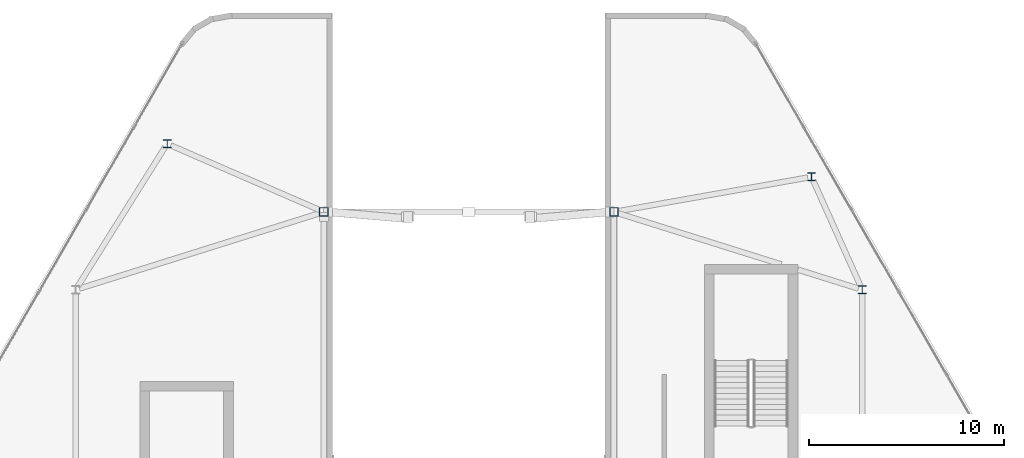
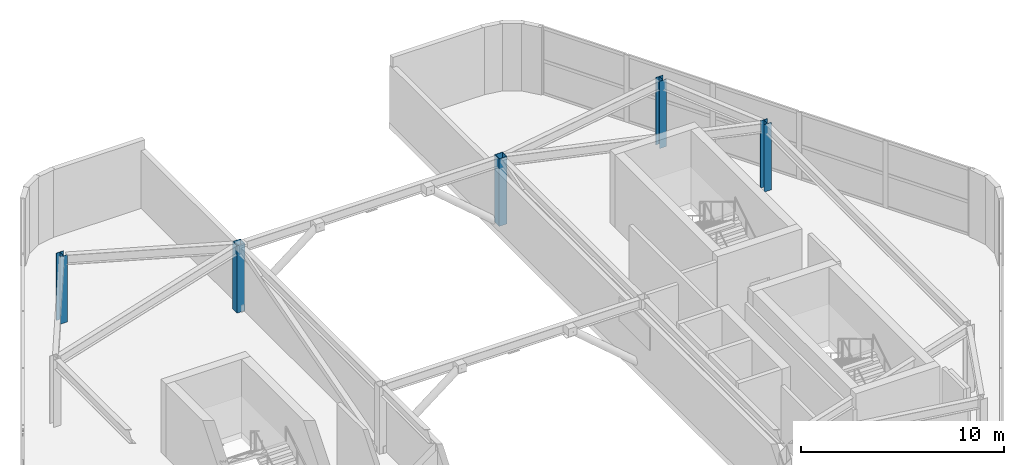
# One storey, part 2 of 16: 5 columns.
"""IFC4 building model written with IfcOpenShell, lengths in metres."""

from ifc_helpers import new_model, si_unit, direction, frame, origin, origin_2d, place, context, subcontext, project, spatial, hollow_rectangle, i_section, extrude, material, material_profile, profile_set, type_object, element, save


model = new_model("IFC4")

# Units and contexts
model_context = context("Model", 3, precision=1e-05, world=origin(), true_north=direction((0.0, 1.0)))
body_context = subcontext(model_context, "Body", "Model", "MODEL_VIEW")
ifc_project = project(units=[si_unit("LENGTHUNIT", "METRE"), si_unit("AREAUNIT", "SQUARE_METRE"), si_unit("VOLUMEUNIT", "CUBIC_METRE"), si_unit("PLANEANGLEUNIT", "RADIAN"), si_unit("MASSUNIT", "GRAM", prefix="KILO")], contexts=[model_context])

# Site, building, storey
site_placement = place(None, origin())
site = spatial("IfcSite", under=ifc_project, at=site_placement, CompositionType="ELEMENT")
building_placement = place(site_placement, origin())
building = spatial("IfcBuilding", under=site, at=building_placement, Name="Zuhravey Tower", CompositionType="ELEMENT")
storey_placement = place(building_placement, frame((0.0, 0.0, 365.800048828125)))
storey = spatial("IfcBuildingStorey", under=building, at=storey_placement, Name="L93", CompositionType="ELEMENT", Elevation=365.800048828125)

# Columns
ifc_material = material(Name="Steel SM355", Category="steel")
ifc_material_profile_1 = material_profile(ifc_material, i_section(OverallWidth=0.39990234375, OverallDepth=0.39990234375, WebThickness=0.012939453125, FlangeThickness=0.02099609375, at=origin_2d()), Name="H-400x400x13x21")
ifc_profile_set_1 = profile_set([ifc_material_profile_1], Name="Steel SM355")
column_type_1 = type_object("IfcColumnType", Name="Crown Crest Column H400x400", PredefinedType="COLUMN", material=ifc_profile_set_1)
for number, where, z_axis, x_axis, name in (
    (1, (20.5, 49.5, 0.0), (0.0, 0.0, 1.0), (1.0, 0.0, 0.0), "L93 West Crest Column WC4"),
    (2, (56.199951171875, 42.0, 0.0), (0.0, 0.0, 1.0), (1.0, 0.0, 0.0), "L93 East Crest Column EC2"),
    (3, (53.60009765625, 47.800048828125, 0.0), (0.0, 0.0, 1.0), (1.0, 0.0, 0.0), "L93 East Crest Column EC4"),
):
    element("IfcColumn", number, at=place(storey_placement, frame(where, z_axis=z_axis, x_axis=x_axis)), inside=storey, type_object=column_type_1, Name=name, PredefinedType="COLUMN", context=body_context, shape_type="SweptSolid", body=[
        extrude(i_section(OverallWidth=0.39990234375, OverallDepth=0.39990234375, WebThickness=0.012939453125, FlangeThickness=0.02099609375, at=origin_2d()), origin(), (0.0, 0.0, 1.0), 4.050048828125),
    ])
ifc_material_profile_2 = material_profile(ifc_material, hollow_rectangle(XDim=0.449951171875, YDim=0.449951171875, WallThickness=0.02197265625, at=origin_2d()), Name="RHS-450x450x22")
ifc_profile_set_2 = profile_set([ifc_material_profile_2], Name="Steel SM355")
column_type_2 = type_object("IfcColumnType", Name="Crown Portal Pilaster RHS450x450", PredefinedType="PILASTER", material=ifc_profile_set_2)
for number, where, z_axis, x_axis, name in (
    (4, (28.550048828125, 46.0, 0.0), (0.0, 0.0, 1.0), (1.0, 0.0, 0.0), "L93 West Crest Column WP3"),
    (5, (43.449951171875, 46.0, 0.0), (0.0, 0.0, 1.0), (1.0, 0.0, 0.0), "L93 East Crest Column EP3"),
):
    element("IfcColumn", number, at=place(storey_placement, frame(where, z_axis=z_axis, x_axis=x_axis)), inside=storey, type_object=column_type_2, Name=name, PredefinedType="PILASTER", context=body_context, shape_type="SweptSolid", body=[
        extrude(hollow_rectangle(XDim=0.449951171875, YDim=0.449951171875, WallThickness=0.02197265625, at=origin_2d()), origin(), (0.0, 0.0, 1.0), 4.050048828125),
    ])

save(model, "model.ifc")
